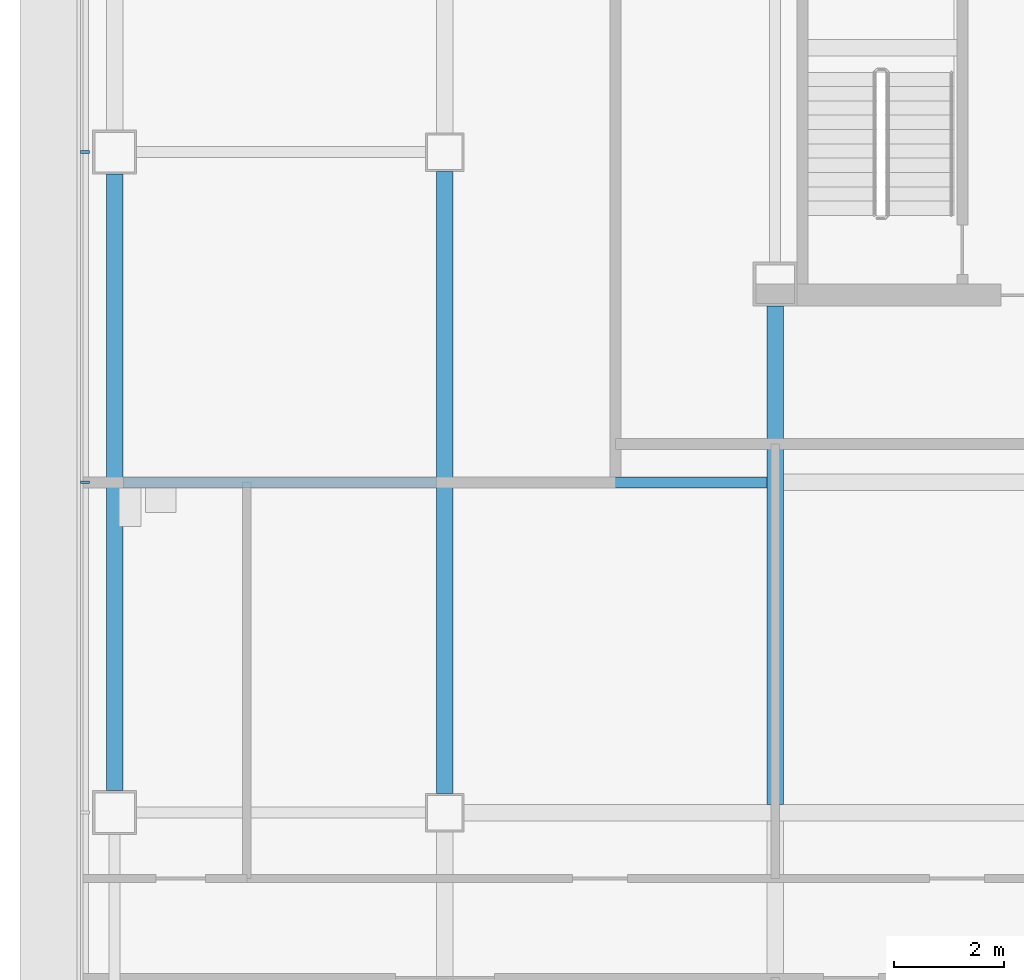
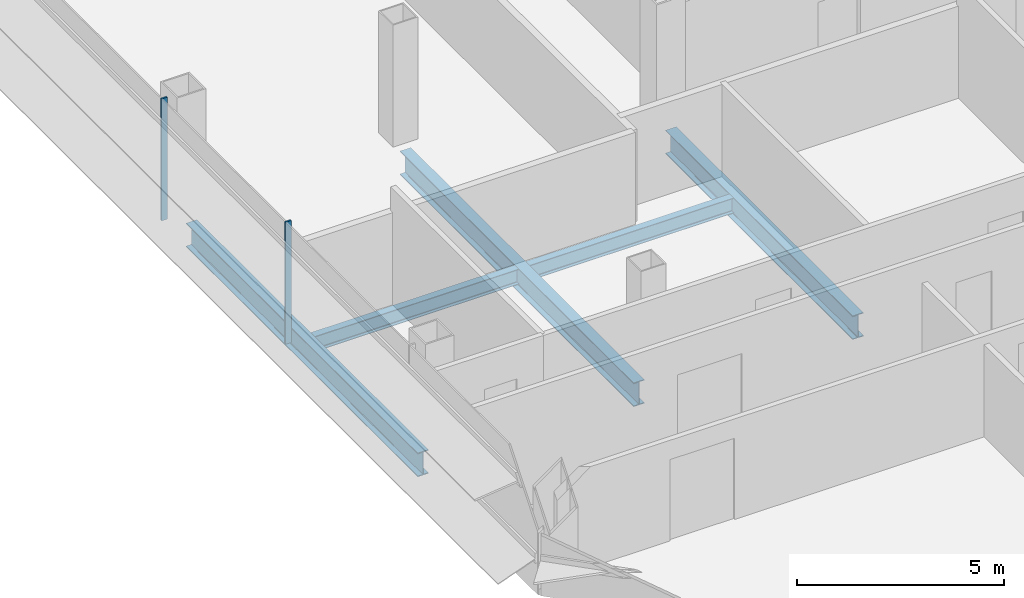
# One storey, part 4 of 25: 5 beams, 2 members, 1 element without a shape of its own.
"""IFC4 building model written with IfcOpenShell, lengths in metres."""

from ifc_helpers import new_model, si_unit, direction, frame, origin, origin_2d, place, context, subcontext, project, spatial, rectangle, i_section, extrude, material, material_profile, profile_set, type_object, element, aggregate, save


model = new_model("IFC4")

# Units and contexts
model_context = context("Model", 3, precision=1e-05, world=origin(), true_north=direction((0.0, 1.0)))
body_context = subcontext(model_context, "Body", "Model", "MODEL_VIEW")
ifc_project = project(units=[si_unit("LENGTHUNIT", "METRE"), si_unit("AREAUNIT", "SQUARE_METRE"), si_unit("VOLUMEUNIT", "CUBIC_METRE"), si_unit("PLANEANGLEUNIT", "RADIAN"), si_unit("MASSUNIT", "GRAM", prefix="KILO")], contexts=[model_context])

# Site, building, storey
site_placement = place(None, origin())
site = spatial("IfcSite", under=ifc_project, at=site_placement, CompositionType="ELEMENT")
building_placement = place(site_placement, origin())
building = spatial("IfcBuilding", under=site, at=building_placement, Name="Sorahane Residences", CompositionType="ELEMENT")
storey_placement = place(building_placement, frame((0.0, 0.0, 123.199951171875)))
storey = spatial("IfcBuildingStorey", under=building, at=storey_placement, Name="L27", CompositionType="ELEMENT", Elevation=123.199951171875)

# Curtain wall, members
ifc_material_1 = material(Name="Dark low-e glass and black anodised aluminium", Category="aluminium")
curtain_wall_type = type_object("IfcCurtainWallType", Name="Curtain wall CW-1 Typical unitised wall", PredefinedType="NOTDEFINED", material=ifc_material_1)
curtain_wall_placement = place(storey_placement, origin())
curtain_wall = element("IfcCurtainWall", 1, at=curtain_wall_placement, inside=storey, type_object=curtain_wall_type, Name="CW-1 curtain wall L27 W1", PredefinedType="NOTDEFINED")
ifc_material_2 = material(Name="Black anodised aluminium", Category="aluminium")
ifc_material_profile_1 = material_profile(ifc_material_2, rectangle(XDim=0.159912109375, YDim=0.050048828125, at=origin_2d()), Name="Curtain wall mullion CW-1 black anodised aluminium 50x160")
ifc_profile_set_1 = profile_set([ifc_material_profile_1], Name="Black anodised aluminium")
member_type = type_object("IfcMemberType", Name="Curtain wall mullion CW-1 black anodised aluminium 50x160", PredefinedType="MULLION", material=ifc_profile_set_1)
member_1_placement = place(storey_placement, frame((-6.5400390625, 24.0, -0.179931640625), z_axis=(0.0, 0.0, 1.0), x_axis=(-1.0, 0.0, 0.0)))
member_1 = element("IfcMember", 2, at=member_1_placement, type_object=member_type, Name="CW-1 mullion L27 W1.4", PredefinedType="MULLION", context=body_context, shape_type="SweptSolid", body=[
    extrude(rectangle(XDim=0.159912109375, YDim=0.050048828125, at=origin_2d()), origin(), (0.0, 0.0, 1.0), 3.60009765625),
])
member_2_placement = place(storey_placement, frame((-6.5400390625, 18.0, -0.179931640625), z_axis=(0.0, 0.0, 1.0), x_axis=(-1.0, 0.0, 0.0)))
member_2 = element("IfcMember", 3, at=member_2_placement, type_object=member_type, Name="CW-1 mullion L27 W1.5", PredefinedType="MULLION", context=body_context, shape_type="SweptSolid", body=[
    extrude(rectangle(XDim=0.159912109375, YDim=0.050048828125, at=origin_2d()), origin(), (0.0, 0.0, 1.0), 3.60009765625),
])
aggregate(curtain_wall, [member_1, member_2])

# Beams
ifc_material_3 = material(Name="Steel Q355B", Category="steel")
ifc_material_profile_2 = material_profile(ifc_material_3, i_section(OverallWidth=0.199951171875, OverallDepth=0.449951171875, WebThickness=0.009033203125, FlangeThickness=0.013916015625, FilletRadius=0.02001953125, at=origin_2d()), Name="HN 450x200x9x14")
ifc_profile_set_2 = profile_set([ifc_material_profile_2], Name="Steel Q355B")
beam_type_1 = type_object("IfcBeamType", Name="Steel floor beam HN 450x200x9x14 Q355B", PredefinedType="BEAM", material=ifc_profile_set_2)
for number, where, z_axis, x_axis, name in (
    (4, (-5.85009765625, 18.0, -0.405029296875), (1.0, 0.0, 0.0), (0.0, 1.0, 0.0), "Beam L27 078"),
    (5, (0.14990234375, 18.0, -0.405029296875), (1.0, 0.0, 0.0), (0.0, 1.0, 0.0), "Beam L27 079"),
):
    element("IfcBeam", number, at=place(storey_placement, frame(where, z_axis=z_axis, x_axis=x_axis)), inside=storey, type_object=beam_type_1, Name=name, PredefinedType="BEAM", context=body_context, shape_type="SweptSolid", body=[
        extrude(i_section(OverallWidth=0.199951171875, OverallDepth=0.449951171875, WebThickness=0.009033203125, FlangeThickness=0.013916015625, FilletRadius=0.02001953125, at=origin_2d()), origin(), (0.0, 0.0, 1.0), 5.7001953125),
    ])
ifc_material_4 = material(Name="Steel Q355B", Category="steel")
ifc_material_profile_3 = material_profile(ifc_material_4, i_section(OverallWidth=0.300048828125, OverallDepth=0.699951171875, WebThickness=0.012939453125, FlangeThickness=0.02392578125, FilletRadius=0.028076171875, at=origin_2d()), Name="HN 700x300x13x24")
ifc_profile_set_3 = profile_set([ifc_material_profile_3], Name="Steel Q355B")
beam_type_2 = type_object("IfcBeamType", Name="Steel floor beam HN 700x300x13x24 Q355B", PredefinedType="BEAM", material=ifc_profile_set_3)
beam_1_placement = place(storey_placement, frame((-6.0, 12.39990234375, -0.530029296875), z_axis=(0.0, 1.0, 0.0), x_axis=(-1.0, 0.0, 0.0)))
element("IfcBeam", 6, at=beam_1_placement, inside=storey, type_object=beam_type_2, Name="Beam L27 021", PredefinedType="BEAM", context=body_context, shape_type="SweptSolid", body=[
    extrude(i_section(OverallWidth=0.300048828125, OverallDepth=0.699951171875, WebThickness=0.012939453125, FlangeThickness=0.02392578125, FilletRadius=0.028076171875, at=origin_2d()), origin(), (0.0, 0.0, 1.0), 11.2001953125),
])
beam_2_placement = place(storey_placement, frame((0.0, 12.35009765625, -0.530029296875), z_axis=(0.0, 1.0, 0.0), x_axis=(-1.0, 0.0, 0.0)))
element("IfcBeam", 7, at=beam_2_placement, inside=storey, type_object=beam_type_2, Name="Beam L27 025", PredefinedType="BEAM", context=body_context, shape_type="SweptSolid", body=[
    extrude(i_section(OverallWidth=0.300048828125, OverallDepth=0.699951171875, WebThickness=0.012939453125, FlangeThickness=0.02392578125, FilletRadius=0.028076171875, at=origin_2d()), origin(), (0.0, 0.0, 1.0), 11.2998046875),
])
beam_3_placement = place(storey_placement, frame((6.0, 12.14990234375, -0.530029296875), z_axis=(0.0, 1.0, 0.0), x_axis=(-1.0, 0.0, 0.0)))
element("IfcBeam", 8, at=beam_3_placement, inside=storey, type_object=beam_type_2, Name="Beam L27 029", PredefinedType="BEAM", context=body_context, shape_type="SweptSolid", body=[
    extrude(i_section(OverallWidth=0.300048828125, OverallDepth=0.699951171875, WebThickness=0.012939453125, FlangeThickness=0.02392578125, FilletRadius=0.028076171875, at=origin_2d()), origin(), (0.0, 0.0, 1.0), 9.050048828125),
])

save(model, "model.ifc")
